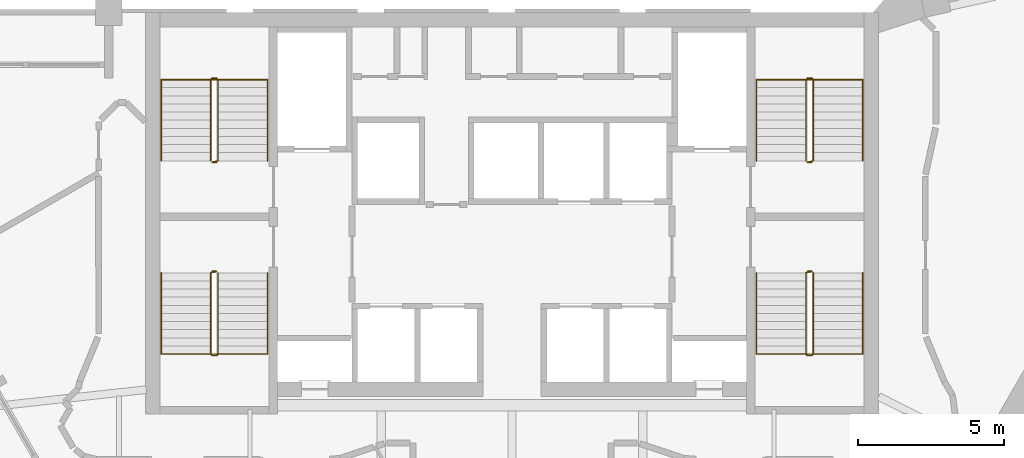
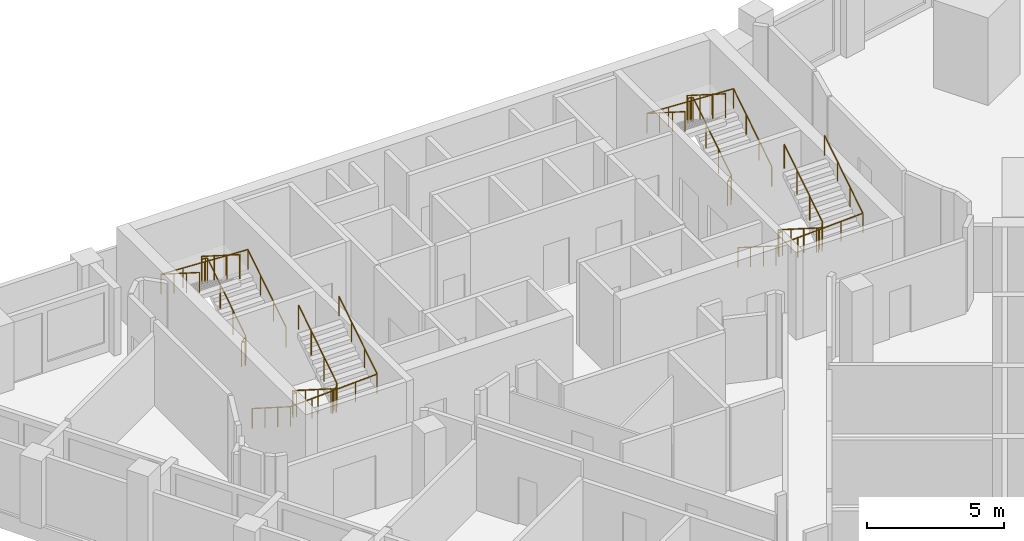
# One storey, part 9 of 9: 8 railings.
"""IFC4 building model written with IfcOpenShell, lengths in metres."""

from ifc_helpers import new_model, si_unit, direction, frame, origin, origin_2d, place, context, subcontext, project, spatial, circle, extrude, material, type_object, element, save


model = new_model("IFC4")

# Units and contexts
model_context = context("Model", 3, precision=1e-05, world=origin(), true_north=direction((0.0, 1.0)))
body_context = subcontext(model_context, "Body", "Model", "MODEL_VIEW")
ifc_project = project(units=[si_unit("LENGTHUNIT", "METRE"), si_unit("AREAUNIT", "SQUARE_METRE"), si_unit("VOLUMEUNIT", "CUBIC_METRE"), si_unit("PLANEANGLEUNIT", "RADIAN"), si_unit("MASSUNIT", "GRAM", prefix="KILO")], contexts=[model_context])

# Site, building, storey
site_placement = place(None, origin())
site = spatial("IfcSite", under=ifc_project, at=site_placement, CompositionType="ELEMENT")
building_placement = place(site_placement, origin())
building = spatial("IfcBuilding", under=site, at=building_placement, Name="Calabash Gate Tower", CompositionType="ELEMENT")
storey_placement = place(building_placement, frame((0.0, 0.0, 256.0)))
storey = spatial("IfcBuildingStorey", under=building, at=storey_placement, Name="L61", CompositionType="ELEMENT", Elevation=256.0)

# Railings
ifc_material_1 = material(Name="Black powder-coated steel balusters", Category="steel")
railing_type_1 = type_object("IfcRailingType", Name="Stair guard RL1100", PredefinedType="GUARDRAIL", material=ifc_material_1)
railing_1_placement = place(storey_placement, frame((-10.14990234375, 13.902587890625, 0.0)))
element("IfcRailing", 1, at=railing_1_placement, inside=storey, type_object=railing_type_1, Name="L61 ST1 stair guard 1", PredefinedType="GUARDRAIL", context=body_context, shape_type="SweptSolid", body=[
    extrude(circle(Radius=0.02392578125, at=origin_2d()), frame((0.0, 0.0, 1.076171875), z_axis=(-1.0, 0.0, 0.0), x_axis=(0.0, -1.0, 0.0)), (0.0, 0.0, 1.0), 0.150146484375),
    extrude(circle(Radius=0.02392578125, at=origin_2d()), frame((-0.150146484375, 0.0, 1.076171875), z_axis=(0.735524641326, 0.184105679453, 0.652003528208), x_axis=(-0.242814311512, 0.970072785993, 0.0)), (0.0, 0.0, 1.0), 0.271728515625),
    extrude(circle(Radius=0.02392578125, at=origin_2d()), frame((0.0498046875, 0.050048828125, 1.25341796875), z_axis=(0.0, 0.844041424197, 0.536277982245), x_axis=(-1.0, 0.0, 0.0)), (0.0, 0.0, 1.0), 3.3056640625),
    extrude(circle(Radius=0.02392578125, at=origin_2d()), frame((0.0498046875, 2.840087890625, 3.02587890625), z_axis=(-0.707106781187, 0.707106781187, 0.0), x_axis=(-0.707106781187, -0.707106781187, 0.0)), (0.0, 0.0, 1.0), 0.0703125),
    extrude(circle(Radius=0.02392578125, at=origin_2d()), frame((0.0, 2.889892578125, 3.02587890625), z_axis=(-1.0, 0.0, 0.0), x_axis=(0.0, -1.0, 0.0)), (0.0, 0.0, 1.0), 0.150146484375),
    extrude(circle(Radius=0.02392578125, at=origin_2d()), frame((-0.150146484375, 2.889892578125, 3.02587890625), z_axis=(-0.262321481514, -0.261041864531, 0.929001929653), x_axis=(0.705375805398, -0.708833529934, 0.0)), (0.0, 0.0, 1.0), 0.190673828125),
    extrude(circle(Radius=0.02392578125, at=origin_2d()), frame((-0.2001953125, 2.840087890625, 3.203125), z_axis=(0.0, -0.844041424197, 0.536277982245), x_axis=(1.0, 0.0, 0.0)), (0.0, 0.0, 1.0), 3.3056640625),
    extrude(circle(Radius=0.02099609375, at=origin_2d()), origin(), (0.0, 0.0, 1.0), 1.052001953125),
    extrude(circle(Radius=0.02099609375, at=origin_2d()), frame((-0.150146484375, 0.0, 0.0)), (0.0, 0.0, 1.0), 1.052001953125),
    extrude(circle(Radius=0.02099609375, at=origin_2d()), frame((0.0498046875, 0.050048828125, 0.17724609375)), (0.0, 0.0, 1.0), 1.052001953125),
    extrude(circle(Radius=0.02099609375, at=origin_2d()), frame((0.0498046875, 0.97998046875, 0.76806640625)), (0.0, 0.0, 1.0), 1.052001953125),
    extrude(circle(Radius=0.02099609375, at=origin_2d()), frame((0.0498046875, 1.91015625, 1.359130859375)), (0.0, 0.0, 1.0), 1.052001953125),
    extrude(circle(Radius=0.02099609375, at=origin_2d()), frame((0.0498046875, 2.840087890625, 1.949951171875)), (0.0, 0.0, 1.0), 1.052001953125),
    extrude(circle(Radius=0.02099609375, at=origin_2d()), frame((0.0, 2.889892578125, 1.949951171875)), (0.0, 0.0, 1.0), 1.052001953125),
    extrude(circle(Radius=0.02099609375, at=origin_2d()), frame((-0.150146484375, 2.889892578125, 1.949951171875)), (0.0, 0.0, 1.0), 1.052001953125),
    extrude(circle(Radius=0.02099609375, at=origin_2d()), frame((-0.2001953125, 2.840087890625, 2.127197265625)), (0.0, 0.0, 1.0), 1.052001953125),
    extrude(circle(Radius=0.02099609375, at=origin_2d()), frame((-0.2001953125, 1.91015625, 2.718017578125)), (0.0, 0.0, 1.0), 1.052001953125),
    extrude(circle(Radius=0.02099609375, at=origin_2d()), frame((-0.2001953125, 0.97998046875, 3.30908203125)), (0.0, 0.0, 1.0), 1.052001953125),
    extrude(circle(Radius=0.02099609375, at=origin_2d()), frame((-0.2001953125, 0.050048828125, 3.89990234375)), (0.0, 0.0, 1.0), 1.052001953125),
])
railing_2_placement = place(storey_placement, frame((-10.300048828125, 10.152587890625, 0.0)))
element("IfcRailing", 2, at=railing_2_placement, inside=storey, type_object=railing_type_1, Name="L61 ST2 stair guard 1", PredefinedType="GUARDRAIL", context=body_context, shape_type="SweptSolid", body=[
    extrude(circle(Radius=0.02392578125, at=origin_2d()), frame((0.0, 0.0, 1.076171875), z_axis=(1.0, 0.0, 0.0), x_axis=(0.0, 1.0, 0.0)), (0.0, 0.0, 1.0), 0.150146484375),
    extrude(circle(Radius=0.02392578125, at=origin_2d()), frame((0.150146484375, 0.0, 1.076171875), z_axis=(-0.735936453418, -0.183984113355, 0.651573006319), x_axis=(0.242535625036, -0.970142500145, 0.0)), (0.0, 0.0, 1.0), 0.27197265625),
    extrude(circle(Radius=0.02392578125, at=origin_2d()), frame((-0.050048828125, -0.050048828125, 1.25341796875), z_axis=(0.0, -0.844041424197, 0.536277982245), x_axis=(1.0, 0.0, 0.0)), (0.0, 0.0, 1.0), 3.3056640625),
    extrude(circle(Radius=0.02392578125, at=origin_2d()), frame((-0.050048828125, -2.840087890625, 3.02587890625), z_axis=(0.708833529934, -0.705375805398, 0.0), x_axis=(0.705375805398, 0.708833529934, 0.0)), (0.0, 0.0, 1.0), 0.070556640625),
    extrude(circle(Radius=0.02392578125, at=origin_2d()), frame((0.0, -2.889892578125, 3.02587890625), z_axis=(1.0, 0.0, 0.0), x_axis=(0.0, 1.0, 0.0)), (0.0, 0.0, 1.0), 0.150146484375),
    extrude(circle(Radius=0.02392578125, at=origin_2d()), frame((0.150146484375, -2.889892578125, 3.02587890625), z_axis=(0.261129318932, 0.261129318932, 0.929313164433), x_axis=(-0.707106781187, 0.707106781187, 0.0)), (0.0, 0.0, 1.0), 0.190673828125),
    extrude(circle(Radius=0.02392578125, at=origin_2d()), frame((0.199951171875, -2.840087890625, 3.203125), z_axis=(0.0, 0.844041424197, 0.536277982245), x_axis=(-1.0, 0.0, 0.0)), (0.0, 0.0, 1.0), 3.3056640625),
    extrude(circle(Radius=0.02099609375, at=origin_2d()), origin(), (0.0, 0.0, 1.0), 1.052001953125),
    extrude(circle(Radius=0.02099609375, at=origin_2d()), frame((0.150146484375, 0.0, 0.0)), (0.0, 0.0, 1.0), 1.052001953125),
    extrude(circle(Radius=0.02099609375, at=origin_2d()), frame((-0.050048828125, -0.050048828125, 0.17724609375)), (0.0, 0.0, 1.0), 1.052001953125),
    extrude(circle(Radius=0.02099609375, at=origin_2d()), frame((-0.050048828125, -0.97998046875, 0.76806640625)), (0.0, 0.0, 1.0), 1.052001953125),
    extrude(circle(Radius=0.02099609375, at=origin_2d()), frame((-0.050048828125, -1.91015625, 1.359130859375)), (0.0, 0.0, 1.0), 1.052001953125),
    extrude(circle(Radius=0.02099609375, at=origin_2d()), frame((-0.050048828125, -2.840087890625, 1.949951171875)), (0.0, 0.0, 1.0), 1.052001953125),
    extrude(circle(Radius=0.02099609375, at=origin_2d()), frame((0.0, -2.889892578125, 1.949951171875)), (0.0, 0.0, 1.0), 1.052001953125),
    extrude(circle(Radius=0.02099609375, at=origin_2d()), frame((0.150146484375, -2.889892578125, 1.949951171875)), (0.0, 0.0, 1.0), 1.052001953125),
    extrude(circle(Radius=0.02099609375, at=origin_2d()), frame((0.199951171875, -2.840087890625, 2.127197265625)), (0.0, 0.0, 1.0), 1.052001953125),
    extrude(circle(Radius=0.02099609375, at=origin_2d()), frame((0.199951171875, -1.91015625, 2.718017578125)), (0.0, 0.0, 1.0), 1.052001953125),
    extrude(circle(Radius=0.02099609375, at=origin_2d()), frame((0.199951171875, -0.97998046875, 3.30908203125)), (0.0, 0.0, 1.0), 1.052001953125),
    extrude(circle(Radius=0.02099609375, at=origin_2d()), frame((0.199951171875, -0.050048828125, 3.89990234375)), (0.0, 0.0, 1.0), 1.052001953125),
])
railing_3_placement = place(storey_placement, frame((10.300048828125, 13.902587890625, 0.0)))
element("IfcRailing", 3, at=railing_3_placement, inside=storey, type_object=railing_type_1, Name="L61 ST3 stair guard 1", PredefinedType="GUARDRAIL", context=body_context, shape_type="SweptSolid", body=[
    extrude(circle(Radius=0.02392578125, at=origin_2d()), frame((0.0, 0.0, 1.076171875), z_axis=(-1.0, 0.0, 0.0), x_axis=(0.0, -1.0, 0.0)), (0.0, 0.0, 1.0), 0.150146484375),
    extrude(circle(Radius=0.02392578125, at=origin_2d()), frame((-0.150146484375, 0.0, 1.076171875), z_axis=(0.735936453418, 0.183984113355, 0.651573006319), x_axis=(-0.242535625036, 0.970142500145, 0.0)), (0.0, 0.0, 1.0), 0.27197265625),
    extrude(circle(Radius=0.02392578125, at=origin_2d()), frame((0.050048828125, 0.050048828125, 1.25341796875), z_axis=(0.0, 0.844041424197, 0.536277982245), x_axis=(-1.0, 0.0, 0.0)), (0.0, 0.0, 1.0), 3.3056640625),
    extrude(circle(Radius=0.02392578125, at=origin_2d()), frame((0.050048828125, 2.840087890625, 3.02587890625), z_axis=(-0.708833529934, 0.705375805398, 0.0), x_axis=(-0.705375805398, -0.708833529934, 0.0)), (0.0, 0.0, 1.0), 0.070556640625),
    extrude(circle(Radius=0.02392578125, at=origin_2d()), frame((0.0, 2.889892578125, 3.02587890625), z_axis=(-1.0, 0.0, 0.0), x_axis=(0.0, -1.0, 0.0)), (0.0, 0.0, 1.0), 0.150146484375),
    extrude(circle(Radius=0.02392578125, at=origin_2d()), frame((-0.150146484375, 2.889892578125, 3.02587890625), z_axis=(-0.261129318932, -0.261129318932, 0.929313164433), x_axis=(0.707106781187, -0.707106781187, 0.0)), (0.0, 0.0, 1.0), 0.190673828125),
    extrude(circle(Radius=0.02392578125, at=origin_2d()), frame((-0.199951171875, 2.840087890625, 3.203125), z_axis=(0.0, -0.844041424197, 0.536277982245), x_axis=(1.0, 0.0, 0.0)), (0.0, 0.0, 1.0), 3.3056640625),
    extrude(circle(Radius=0.02099609375, at=origin_2d()), origin(), (0.0, 0.0, 1.0), 1.052001953125),
    extrude(circle(Radius=0.02099609375, at=origin_2d()), frame((-0.150146484375, 0.0, 0.0)), (0.0, 0.0, 1.0), 1.052001953125),
    extrude(circle(Radius=0.02099609375, at=origin_2d()), frame((0.050048828125, 0.050048828125, 0.17724609375)), (0.0, 0.0, 1.0), 1.052001953125),
    extrude(circle(Radius=0.02099609375, at=origin_2d()), frame((0.050048828125, 0.97998046875, 0.76806640625)), (0.0, 0.0, 1.0), 1.052001953125),
    extrude(circle(Radius=0.02099609375, at=origin_2d()), frame((0.050048828125, 1.91015625, 1.359130859375)), (0.0, 0.0, 1.0), 1.052001953125),
    extrude(circle(Radius=0.02099609375, at=origin_2d()), frame((0.050048828125, 2.840087890625, 1.949951171875)), (0.0, 0.0, 1.0), 1.052001953125),
    extrude(circle(Radius=0.02099609375, at=origin_2d()), frame((0.0, 2.889892578125, 1.949951171875)), (0.0, 0.0, 1.0), 1.052001953125),
    extrude(circle(Radius=0.02099609375, at=origin_2d()), frame((-0.150146484375, 2.889892578125, 1.949951171875)), (0.0, 0.0, 1.0), 1.052001953125),
    extrude(circle(Radius=0.02099609375, at=origin_2d()), frame((-0.199951171875, 2.840087890625, 2.127197265625)), (0.0, 0.0, 1.0), 1.052001953125),
    extrude(circle(Radius=0.02099609375, at=origin_2d()), frame((-0.199951171875, 1.91015625, 2.718017578125)), (0.0, 0.0, 1.0), 1.052001953125),
    extrude(circle(Radius=0.02099609375, at=origin_2d()), frame((-0.199951171875, 0.97998046875, 3.30908203125)), (0.0, 0.0, 1.0), 1.052001953125),
    extrude(circle(Radius=0.02099609375, at=origin_2d()), frame((-0.199951171875, 0.050048828125, 3.89990234375)), (0.0, 0.0, 1.0), 1.052001953125),
])
railing_4_placement = place(storey_placement, frame((10.14990234375, 10.152587890625, 0.0)))
element("IfcRailing", 4, at=railing_4_placement, inside=storey, type_object=railing_type_1, Name="L61 ST4 stair guard 1", PredefinedType="GUARDRAIL", context=body_context, shape_type="SweptSolid", body=[
    extrude(circle(Radius=0.02392578125, at=origin_2d()), frame((0.0, 0.0, 1.076171875), z_axis=(1.0, 0.0, 0.0), x_axis=(0.0, 1.0, 0.0)), (0.0, 0.0, 1.0), 0.150146484375),
    extrude(circle(Radius=0.02392578125, at=origin_2d()), frame((0.150146484375, 0.0, 1.076171875), z_axis=(-0.735524641326, -0.184105679453, 0.652003528208), x_axis=(0.242814311512, -0.970072785993, 0.0)), (0.0, 0.0, 1.0), 0.271728515625),
    extrude(circle(Radius=0.02392578125, at=origin_2d()), frame((-0.0498046875, -0.050048828125, 1.25341796875), z_axis=(0.0, -0.844041424197, 0.536277982245), x_axis=(1.0, 0.0, 0.0)), (0.0, 0.0, 1.0), 3.3056640625),
    extrude(circle(Radius=0.02392578125, at=origin_2d()), frame((-0.0498046875, -2.840087890625, 3.02587890625), z_axis=(0.707106781187, -0.707106781187, 0.0), x_axis=(0.707106781187, 0.707106781187, 0.0)), (0.0, 0.0, 1.0), 0.0703125),
    extrude(circle(Radius=0.02392578125, at=origin_2d()), frame((0.0, -2.889892578125, 3.02587890625), z_axis=(1.0, 0.0, 0.0), x_axis=(0.0, 1.0, 0.0)), (0.0, 0.0, 1.0), 0.150146484375),
    extrude(circle(Radius=0.02392578125, at=origin_2d()), frame((0.150146484375, -2.889892578125, 3.02587890625), z_axis=(0.262321481514, 0.261041864531, 0.929001929653), x_axis=(-0.705375805398, 0.708833529934, 0.0)), (0.0, 0.0, 1.0), 0.190673828125),
    extrude(circle(Radius=0.02392578125, at=origin_2d()), frame((0.2001953125, -2.840087890625, 3.203125), z_axis=(0.0, 0.844041424197, 0.536277982245), x_axis=(-1.0, 0.0, 0.0)), (0.0, 0.0, 1.0), 3.3056640625),
    extrude(circle(Radius=0.02099609375, at=origin_2d()), origin(), (0.0, 0.0, 1.0), 1.052001953125),
    extrude(circle(Radius=0.02099609375, at=origin_2d()), frame((0.150146484375, 0.0, 0.0)), (0.0, 0.0, 1.0), 1.052001953125),
    extrude(circle(Radius=0.02099609375, at=origin_2d()), frame((-0.0498046875, -0.050048828125, 0.17724609375)), (0.0, 0.0, 1.0), 1.052001953125),
    extrude(circle(Radius=0.02099609375, at=origin_2d()), frame((-0.0498046875, -0.97998046875, 0.76806640625)), (0.0, 0.0, 1.0), 1.052001953125),
    extrude(circle(Radius=0.02099609375, at=origin_2d()), frame((-0.0498046875, -1.91015625, 1.359130859375)), (0.0, 0.0, 1.0), 1.052001953125),
    extrude(circle(Radius=0.02099609375, at=origin_2d()), frame((-0.0498046875, -2.840087890625, 1.949951171875)), (0.0, 0.0, 1.0), 1.052001953125),
    extrude(circle(Radius=0.02099609375, at=origin_2d()), frame((0.0, -2.889892578125, 1.949951171875)), (0.0, 0.0, 1.0), 1.052001953125),
    extrude(circle(Radius=0.02099609375, at=origin_2d()), frame((0.150146484375, -2.889892578125, 1.949951171875)), (0.0, 0.0, 1.0), 1.052001953125),
    extrude(circle(Radius=0.02099609375, at=origin_2d()), frame((0.2001953125, -2.840087890625, 2.127197265625)), (0.0, 0.0, 1.0), 1.052001953125),
    extrude(circle(Radius=0.02099609375, at=origin_2d()), frame((0.2001953125, -1.91015625, 2.718017578125)), (0.0, 0.0, 1.0), 1.052001953125),
    extrude(circle(Radius=0.02099609375, at=origin_2d()), frame((0.2001953125, -0.97998046875, 3.30908203125)), (0.0, 0.0, 1.0), 1.052001953125),
    extrude(circle(Radius=0.02099609375, at=origin_2d()), frame((0.2001953125, -0.050048828125, 3.89990234375)), (0.0, 0.0, 1.0), 1.052001953125),
])
ifc_material_2 = material(Name="Black powder-coated steel tube 48 mm", Category="steel")
railing_type_2 = type_object("IfcRailingType", Name="Stair handrail RL900", PredefinedType="HANDRAIL", material=ifc_material_2)
railing_5_placement = place(storey_placement, frame((-8.39990234375, 13.95263671875, 0.17724609375)))
element("IfcRailing", 5, at=railing_5_placement, inside=storey, type_object=railing_type_2, Name="L61 ST1 stair handrail 1", PredefinedType="HANDRAIL", context=body_context, shape_type="SweptSolid", body=[
    extrude(circle(Radius=0.02392578125, at=origin_2d()), frame((0.0, 0.0, 0.8759765625), z_axis=(0.0, 0.844041424197, 0.536277982245), x_axis=(-1.0, 0.0, 0.0)), (0.0, 0.0, 1.0), 3.3056640625),
    extrude(circle(Radius=0.02392578125, at=origin_2d()), frame((0.0, 2.7900390625, 2.6484375), z_axis=(-0.998823110844, 0.0, 0.048501476722), x_axis=(0.0, -1.0, 0.0)), (0.0, 0.0, 1.0), 3.654541015625),
    extrude(circle(Radius=0.02392578125, at=origin_2d()), frame((-3.650146484375, 2.7900390625, 2.82568359375), z_axis=(0.0, -0.844041424197, 0.536277982245), x_axis=(1.0, 0.0, 0.0)), (0.0, 0.0, 1.0), 3.3056640625),
    extrude(circle(Radius=0.02099609375, at=origin_2d()), origin(), (0.0, 0.0, 1.0), 0.851806640625),
    extrude(circle(Radius=0.02099609375, at=origin_2d()), frame((0.0, 0.929931640625, 0.5908203125)), (0.0, 0.0, 1.0), 0.851806640625),
    extrude(circle(Radius=0.02099609375, at=origin_2d()), frame((0.0, 1.860107421875, 1.181884765625)), (0.0, 0.0, 1.0), 0.851806640625),
    extrude(circle(Radius=0.02099609375, at=origin_2d()), frame((0.0, 2.7900390625, 1.772705078125)), (0.0, 0.0, 1.0), 0.851806640625),
    extrude(circle(Radius=0.02099609375, at=origin_2d()), frame((-0.91259765625, 2.7900390625, 1.81689453125)), (0.0, 0.0, 1.0), 0.851806640625),
    extrude(circle(Radius=0.02099609375, at=origin_2d()), frame((-1.8251953125, 2.7900390625, 1.861328125)), (0.0, 0.0, 1.0), 0.851806640625),
    extrude(circle(Radius=0.02099609375, at=origin_2d()), frame((-2.737548828125, 2.7900390625, 1.90576171875)), (0.0, 0.0, 1.0), 0.851806640625),
    extrude(circle(Radius=0.02099609375, at=origin_2d()), frame((-3.650146484375, 2.7900390625, 1.949951171875)), (0.0, 0.0, 1.0), 0.851806640625),
    extrude(circle(Radius=0.02099609375, at=origin_2d()), frame((-3.650146484375, 1.860107421875, 2.540771484375)), (0.0, 0.0, 1.0), 0.851806640625),
    extrude(circle(Radius=0.02099609375, at=origin_2d()), frame((-3.650146484375, 0.929931640625, 3.1318359375)), (0.0, 0.0, 1.0), 0.851806640625),
    extrude(circle(Radius=0.02099609375, at=origin_2d()), frame((-3.650146484375, 0.0, 3.72265625)), (0.0, 0.0, 1.0), 0.851806640625),
])
railing_6_placement = place(storey_placement, frame((-12.050048828125, 10.1025390625, 0.17724609375)))
element("IfcRailing", 6, at=railing_6_placement, inside=storey, type_object=railing_type_2, Name="L61 ST2 stair handrail 1", PredefinedType="HANDRAIL", context=body_context, shape_type="SweptSolid", body=[
    extrude(circle(Radius=0.02392578125, at=origin_2d()), frame((0.0, 0.0, 0.8759765625), z_axis=(0.0, -0.844041424197, 0.536277982245), x_axis=(1.0, 0.0, 0.0)), (0.0, 0.0, 1.0), 3.3056640625),
    extrude(circle(Radius=0.02392578125, at=origin_2d()), frame((0.0, -2.7900390625, 2.6484375), z_axis=(0.998823110844, 0.0, 0.048501476722), x_axis=(0.0, 1.0, 0.0)), (0.0, 0.0, 1.0), 3.654541015625),
    extrude(circle(Radius=0.02392578125, at=origin_2d()), frame((3.650146484375, -2.7900390625, 2.82568359375), z_axis=(0.0, 0.844041424197, 0.536277982245), x_axis=(-1.0, 0.0, 0.0)), (0.0, 0.0, 1.0), 3.3056640625),
    extrude(circle(Radius=0.02099609375, at=origin_2d()), origin(), (0.0, 0.0, 1.0), 0.851806640625),
    extrude(circle(Radius=0.02099609375, at=origin_2d()), frame((0.0, -0.929931640625, 0.5908203125)), (0.0, 0.0, 1.0), 0.851806640625),
    extrude(circle(Radius=0.02099609375, at=origin_2d()), frame((0.0, -1.860107421875, 1.181884765625)), (0.0, 0.0, 1.0), 0.851806640625),
    extrude(circle(Radius=0.02099609375, at=origin_2d()), frame((0.0, -2.7900390625, 1.772705078125)), (0.0, 0.0, 1.0), 0.851806640625),
    extrude(circle(Radius=0.02099609375, at=origin_2d()), frame((0.91259765625, -2.7900390625, 1.81689453125)), (0.0, 0.0, 1.0), 0.851806640625),
    extrude(circle(Radius=0.02099609375, at=origin_2d()), frame((1.8251953125, -2.7900390625, 1.861328125)), (0.0, 0.0, 1.0), 0.851806640625),
    extrude(circle(Radius=0.02099609375, at=origin_2d()), frame((2.737548828125, -2.7900390625, 1.90576171875)), (0.0, 0.0, 1.0), 0.851806640625),
    extrude(circle(Radius=0.02099609375, at=origin_2d()), frame((3.650146484375, -2.7900390625, 1.949951171875)), (0.0, 0.0, 1.0), 0.851806640625),
    extrude(circle(Radius=0.02099609375, at=origin_2d()), frame((3.650146484375, -1.860107421875, 2.540771484375)), (0.0, 0.0, 1.0), 0.851806640625),
    extrude(circle(Radius=0.02099609375, at=origin_2d()), frame((3.650146484375, -0.929931640625, 3.1318359375)), (0.0, 0.0, 1.0), 0.851806640625),
    extrude(circle(Radius=0.02099609375, at=origin_2d()), frame((3.650146484375, 0.0, 3.72265625)), (0.0, 0.0, 1.0), 0.851806640625),
])
railing_7_placement = place(storey_placement, frame((12.050048828125, 13.95263671875, 0.17724609375)))
element("IfcRailing", 7, at=railing_7_placement, inside=storey, type_object=railing_type_2, Name="L61 ST3 stair handrail 1", PredefinedType="HANDRAIL", context=body_context, shape_type="SweptSolid", body=[
    extrude(circle(Radius=0.02392578125, at=origin_2d()), frame((0.0, 0.0, 0.8759765625), z_axis=(0.0, 0.844041424197, 0.536277982245), x_axis=(-1.0, 0.0, 0.0)), (0.0, 0.0, 1.0), 3.3056640625),
    extrude(circle(Radius=0.02392578125, at=origin_2d()), frame((0.0, 2.7900390625, 2.6484375), z_axis=(-0.998823110844, 0.0, 0.048501476722), x_axis=(0.0, -1.0, 0.0)), (0.0, 0.0, 1.0), 3.654541015625),
    extrude(circle(Radius=0.02392578125, at=origin_2d()), frame((-3.650146484375, 2.7900390625, 2.82568359375), z_axis=(0.0, -0.844041424197, 0.536277982245), x_axis=(1.0, 0.0, 0.0)), (0.0, 0.0, 1.0), 3.3056640625),
    extrude(circle(Radius=0.02099609375, at=origin_2d()), origin(), (0.0, 0.0, 1.0), 0.851806640625),
    extrude(circle(Radius=0.02099609375, at=origin_2d()), frame((0.0, 0.929931640625, 0.5908203125)), (0.0, 0.0, 1.0), 0.851806640625),
    extrude(circle(Radius=0.02099609375, at=origin_2d()), frame((0.0, 1.860107421875, 1.181884765625)), (0.0, 0.0, 1.0), 0.851806640625),
    extrude(circle(Radius=0.02099609375, at=origin_2d()), frame((0.0, 2.7900390625, 1.772705078125)), (0.0, 0.0, 1.0), 0.851806640625),
    extrude(circle(Radius=0.02099609375, at=origin_2d()), frame((-0.91259765625, 2.7900390625, 1.81689453125)), (0.0, 0.0, 1.0), 0.851806640625),
    extrude(circle(Radius=0.02099609375, at=origin_2d()), frame((-1.8251953125, 2.7900390625, 1.861328125)), (0.0, 0.0, 1.0), 0.851806640625),
    extrude(circle(Radius=0.02099609375, at=origin_2d()), frame((-2.737548828125, 2.7900390625, 1.90576171875)), (0.0, 0.0, 1.0), 0.851806640625),
    extrude(circle(Radius=0.02099609375, at=origin_2d()), frame((-3.650146484375, 2.7900390625, 1.949951171875)), (0.0, 0.0, 1.0), 0.851806640625),
    extrude(circle(Radius=0.02099609375, at=origin_2d()), frame((-3.650146484375, 1.860107421875, 2.540771484375)), (0.0, 0.0, 1.0), 0.851806640625),
    extrude(circle(Radius=0.02099609375, at=origin_2d()), frame((-3.650146484375, 0.929931640625, 3.1318359375)), (0.0, 0.0, 1.0), 0.851806640625),
    extrude(circle(Radius=0.02099609375, at=origin_2d()), frame((-3.650146484375, 0.0, 3.72265625)), (0.0, 0.0, 1.0), 0.851806640625),
])
railing_8_placement = place(storey_placement, frame((8.39990234375, 10.1025390625, 0.17724609375)))
element("IfcRailing", 8, at=railing_8_placement, inside=storey, type_object=railing_type_2, Name="L61 ST4 stair handrail 1", PredefinedType="HANDRAIL", context=body_context, shape_type="SweptSolid", body=[
    extrude(circle(Radius=0.02392578125, at=origin_2d()), frame((0.0, 0.0, 0.8759765625), z_axis=(0.0, -0.844041424197, 0.536277982245), x_axis=(1.0, 0.0, 0.0)), (0.0, 0.0, 1.0), 3.3056640625),
    extrude(circle(Radius=0.02392578125, at=origin_2d()), frame((0.0, -2.7900390625, 2.6484375), z_axis=(0.998823110844, 0.0, 0.048501476722), x_axis=(0.0, 1.0, 0.0)), (0.0, 0.0, 1.0), 3.654541015625),
    extrude(circle(Radius=0.02392578125, at=origin_2d()), frame((3.650146484375, -2.7900390625, 2.82568359375), z_axis=(0.0, 0.844041424197, 0.536277982245), x_axis=(-1.0, 0.0, 0.0)), (0.0, 0.0, 1.0), 3.3056640625),
    extrude(circle(Radius=0.02099609375, at=origin_2d()), origin(), (0.0, 0.0, 1.0), 0.851806640625),
    extrude(circle(Radius=0.02099609375, at=origin_2d()), frame((0.0, -0.929931640625, 0.5908203125)), (0.0, 0.0, 1.0), 0.851806640625),
    extrude(circle(Radius=0.02099609375, at=origin_2d()), frame((0.0, -1.860107421875, 1.181884765625)), (0.0, 0.0, 1.0), 0.851806640625),
    extrude(circle(Radius=0.02099609375, at=origin_2d()), frame((0.0, -2.7900390625, 1.772705078125)), (0.0, 0.0, 1.0), 0.851806640625),
    extrude(circle(Radius=0.02099609375, at=origin_2d()), frame((0.91259765625, -2.7900390625, 1.81689453125)), (0.0, 0.0, 1.0), 0.851806640625),
    extrude(circle(Radius=0.02099609375, at=origin_2d()), frame((1.8251953125, -2.7900390625, 1.861328125)), (0.0, 0.0, 1.0), 0.851806640625),
    extrude(circle(Radius=0.02099609375, at=origin_2d()), frame((2.737548828125, -2.7900390625, 1.90576171875)), (0.0, 0.0, 1.0), 0.851806640625),
    extrude(circle(Radius=0.02099609375, at=origin_2d()), frame((3.650146484375, -2.7900390625, 1.949951171875)), (0.0, 0.0, 1.0), 0.851806640625),
    extrude(circle(Radius=0.02099609375, at=origin_2d()), frame((3.650146484375, -1.860107421875, 2.540771484375)), (0.0, 0.0, 1.0), 0.851806640625),
    extrude(circle(Radius=0.02099609375, at=origin_2d()), frame((3.650146484375, -0.929931640625, 3.1318359375)), (0.0, 0.0, 1.0), 0.851806640625),
    extrude(circle(Radius=0.02099609375, at=origin_2d()), frame((3.650146484375, 0.0, 3.72265625)), (0.0, 0.0, 1.0), 0.851806640625),
])

save(model, "model.ifc")
